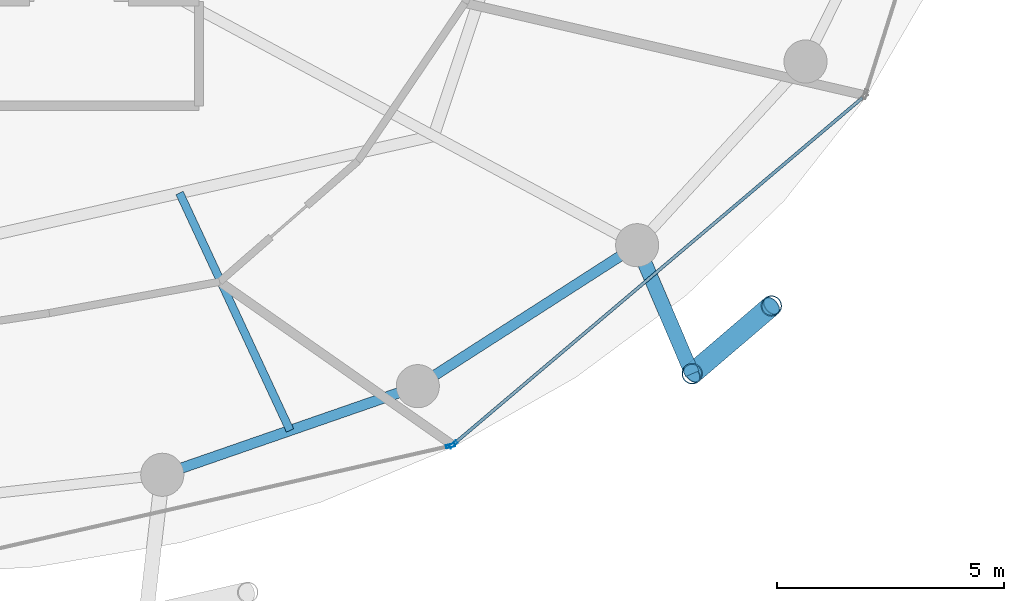
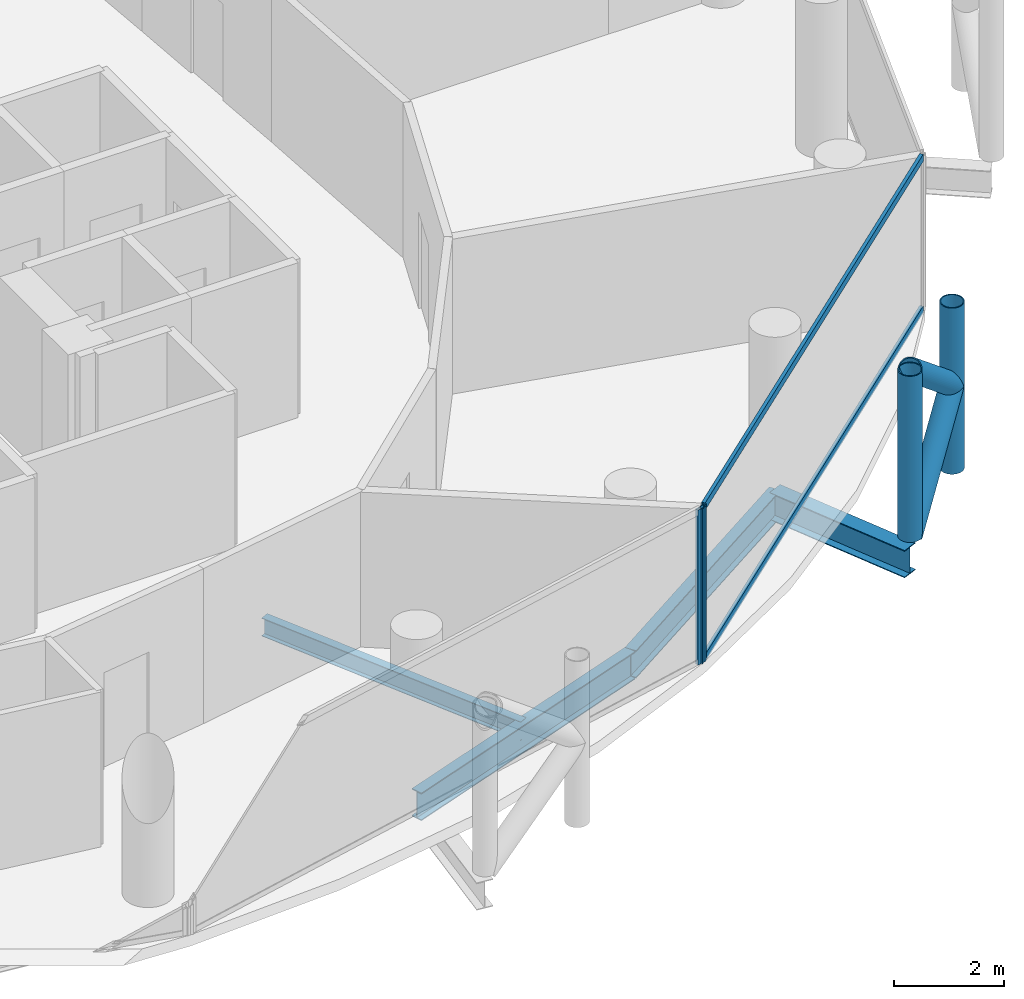
# One storey, part 8 of 26: 8 members, 4 beams, 2 elements without a shape of their own.
"""IFC4 building model written with IfcOpenShell, lengths in metres."""

from ifc_helpers import new_model, si_unit, direction, frame, origin, origin_2d, place, context, subcontext, project, spatial, hollow_rectangle, hollow_circle, i_section, extrude, material, layer, layer_set, material_profile, profile_set, type_object, element, aggregate, save


model = new_model("IFC4")

# Units and contexts
model_context = context("Model", 3, precision=1e-05, world=origin(), true_north=direction((0.0, 1.0)))
body_context = subcontext(model_context, "Body", "Model", "MODEL_VIEW")
ifc_project = project(units=[si_unit("LENGTHUNIT", "METRE"), si_unit("AREAUNIT", "SQUARE_METRE"), si_unit("VOLUMEUNIT", "CUBIC_METRE"), si_unit("PLANEANGLEUNIT", "RADIAN"), si_unit("MASSUNIT", "GRAM", prefix="KILO")], contexts=[model_context])

# Site, building, storey
site_placement = place(None, origin())
site = spatial("IfcSite", under=ifc_project, at=site_placement, CompositionType="ELEMENT")
building_placement = place(site_placement, origin())
building = spatial("IfcBuilding", under=site, at=building_placement, Name="Nuhasar Tower", CompositionType="ELEMENT")
storey_placement = place(building_placement, frame((0.0, 0.0, 155.25)))
storey = spatial("IfcBuildingStorey", under=building, at=storey_placement, Name="L37", CompositionType="ELEMENT", Elevation=155.25)

# Beams
ifc_material_1 = material(Name="Steel S355", Category="steel")
ifc_material_profile_1 = material_profile(ifc_material_1, i_section(OverallWidth=0.177978515625, OverallDepth=0.406005859375, WebThickness=0.0078125, FlangeThickness=0.0126953125, at=origin_2d()), Name="W16X40")
ifc_profile_set_1 = profile_set([ifc_material_profile_1], Name="Steel S355")
beam_type_1 = type_object("IfcBeamType", Name="BM-JST-W16X40", PredefinedType="JOIST", material=ifc_profile_set_1)
beam_1_placement = place(storey_placement, frame((45.424072265625, 14.1279296875, -0.452880859375), z_axis=(0.421729941201, -0.906721487941, 0.0), x_axis=(0.906721487941, 0.421729941201, 0.0)))
element("IfcBeam", 1, at=beam_1_placement, inside=storey, type_object=beam_type_1, Name="L37 Secondary Floor Joist 02", PredefinedType="JOIST", context=body_context, shape_type="SweptSolid", body=[
    extrude(i_section(OverallWidth=0.177978515625, OverallDepth=0.406005859375, WebThickness=0.0078125, FlangeThickness=0.0126953125, at=origin_2d()), origin(), (0.0, 0.0, 1.0), 5.7734375),
])
ifc_material_profile_2 = material_profile(ifc_material_1, i_section(OverallWidth=0.22998046875, OverallDepth=0.616943359375, WebThickness=0.01318359375, FlangeThickness=0.022216796875, at=origin_2d()), Name="W24X94")
ifc_profile_set_2 = profile_set([ifc_material_profile_2], Name="Steel S355")
beam_type_2 = type_object("IfcBeamType", Name="BM-RING-W24X94", PredefinedType="SPANDREL", material=ifc_profile_set_2)
beam_2_placement = place(storey_placement, frame((45.04296875, 7.916015625, -0.55908203125), z_axis=(0.944814057608, 0.327607076458, 0.0), x_axis=(-0.327607076458, 0.944814057608, 0.0)))
element("IfcBeam", 2, at=beam_2_placement, inside=storey, type_object=beam_type_2, Name="L37 Perimeter Ring Spandrel 20", PredefinedType="SPANDREL", context=body_context, shape_type="SweptSolid", body=[
    extrude(i_section(OverallWidth=0.22998046875, OverallDepth=0.616943359375, WebThickness=0.01318359375, FlangeThickness=0.022216796875, at=origin_2d()), origin(), (0.0, 0.0, 1.0), 5.9609375),
])
beam_3_placement = place(storey_placement, frame((50.675048828125, 9.868896484375, -0.55908203125), z_axis=(0.841308170616, 0.540555789955, 0.0), x_axis=(-0.540555789955, 0.841308170616, 0.0)))
element("IfcBeam", 3, at=beam_3_placement, inside=storey, type_object=beam_type_2, Name="L37 Perimeter Ring Spandrel 21", PredefinedType="SPANDREL", context=body_context, shape_type="SweptSolid", body=[
    extrude(i_section(OverallWidth=0.22998046875, OverallDepth=0.616943359375, WebThickness=0.01318359375, FlangeThickness=0.022216796875, at=origin_2d()), origin(), (0.0, 0.0, 1.0), 5.748046875),
])
ifc_material_profile_3 = material_profile(ifc_material_1, i_section(OverallWidth=0.323974609375, OverallDepth=0.611083984375, WebThickness=0.0126953125, FlangeThickness=0.01904296875, at=origin_2d()), Name="W24X104")
ifc_profile_set_3 = profile_set([ifc_material_profile_3], Name="Steel S355")
beam_type_3 = type_object("IfcBeamType", Name="BM-TIE-W24X104", PredefinedType="BEAM", material=ifc_profile_set_3)
beam_4_placement = place(storey_placement, frame((55.510986328125, 12.97607421875, -0.554931640625), z_axis=(0.39330721304, -0.919407111225, 0.0), x_axis=(0.919407111225, 0.39330721304, 0.0)))
element("IfcBeam", 4, at=beam_4_placement, inside=storey, type_object=beam_type_3, Name="L37 Exoskeleton Node Tie Beam 11", PredefinedType="BEAM", context=body_context, shape_type="SweptSolid", body=[
    extrude(i_section(OverallWidth=0.323974609375, OverallDepth=0.611083984375, WebThickness=0.0126953125, FlangeThickness=0.01904296875, at=origin_2d()), origin(), (0.0, 0.0, 1.0), 3.081298828125),
])

# Curtain wall, member
ifc_material_2 = material(Name="Aluminium 6063-T6", Category="aluminium")
ifc_layer = layer(ifc_material_2, 0.199951171875)
ifc_layer_set = layer_set([ifc_layer], Name="Aluminium 6063-T6")
curtain_wall_type = type_object("IfcCurtainWallType", Name="CW-Z2-HTL", PredefinedType="NOTDEFINED", material=ifc_layer_set)
curtain_wall_1_placement = place(storey_placement, origin())
curtain_wall_1 = element("IfcCurtainWall", 5, at=curtain_wall_1_placement, inside=storey, type_object=curtain_wall_type, Name="L37 Unitised Curtain Wall 10", PredefinedType="NOTDEFINED")
ifc_material_profile_4 = material_profile(ifc_material_2, hollow_rectangle(XDim=0.070068359375, YDim=0.199951171875, WallThickness=0.0048828125, at=origin_2d()), Name="CWM-3")
ifc_profile_set_4 = profile_set([ifc_material_profile_4], Name="Aluminium 6063-T6")
member_type_1 = type_object("IfcMemberType", Name="CW-MUL-S3", PredefinedType="MULLION", material=ifc_profile_set_4)
member_1_placement = place(storey_placement, frame((51.395751953125, 8.55419921875, 0.0), z_axis=(0.0, 0.0, 1.0), x_axis=(-0.22139729566, 0.975183694221, 0.0)))
member_1 = element("IfcMember", 6, at=member_1_placement, type_object=member_type_1, Name="CW-Z2 mullion 2", PredefinedType="MULLION", context=body_context, shape_type="SweptSolid", body=[
    extrude(hollow_rectangle(XDim=0.070068359375, YDim=0.199951171875, WallThickness=0.0048828125, at=origin_2d()), origin(), (0.0, 0.0, 1.0), 3.449951171875),
])
aggregate(curtain_wall_1, [member_1])

# Curtain wall, members
curtain_wall_2_placement = place(storey_placement, origin())
curtain_wall_2 = element("IfcCurtainWall", 7, at=curtain_wall_2_placement, inside=storey, type_object=curtain_wall_type, Name="L37 Unitised Curtain Wall 11", PredefinedType="NOTDEFINED")
member_2_placement = place(storey_placement, frame((51.456787109375, 8.584716796875, 0.0), z_axis=(0.0, 0.0, 1.0), x_axis=(-0.646374438324, 0.763020370292, 0.0)))
member_2 = element("IfcMember", 8, at=member_2_placement, type_object=member_type_1, Name="CW-Z2 mullion 1", PredefinedType="MULLION", context=body_context, shape_type="SweptSolid", body=[
    extrude(hollow_rectangle(XDim=0.070068359375, YDim=0.199951171875, WallThickness=0.0048828125, at=origin_2d()), origin(), (0.0, 0.0, 1.0), 3.449951171875),
])
ifc_material_profile_5 = material_profile(ifc_material_2, hollow_rectangle(XDim=0.070068359375, YDim=0.159912109375, WallThickness=0.00439453125, at=origin_2d()), Name="CWT-3")
ifc_profile_set_5 = profile_set([ifc_material_profile_5], Name="Aluminium 6063-T6")
member_type_2 = type_object("IfcMemberType", Name="CW-TRN-S3", PredefinedType="USERDEFINED", material=ifc_profile_set_5)
member_3_placement = place(storey_placement, frame((51.4833984375, 8.607177734375, 0.034912109375), z_axis=(0.763013698099, 0.646382314511, 0.0), x_axis=(-0.646382314511, 0.763013698099, 0.0)))
member_3 = element("IfcMember", 9, at=member_3_placement, type_object=member_type_2, Name="CW-Z2 transom 1.1", ObjectType="TRANSOM", PredefinedType="USERDEFINED", context=body_context, shape_type="SweptSolid", body=[
    extrude(hollow_rectangle(XDim=0.070068359375, YDim=0.159912109375, WallThickness=0.00439453125, at=origin_2d()), origin(), (0.0, 0.0, 1.0), 11.78515625),
])
member_4_placement = place(storey_placement, frame((51.4833984375, 8.607177734375, 3.4150390625), z_axis=(0.763013698099, 0.646382314511, 0.0), x_axis=(-0.646382314511, 0.763013698099, 0.0)))
member_4 = element("IfcMember", 10, at=member_4_placement, type_object=member_type_2, Name="CW-Z2 transom 1.2", ObjectType="TRANSOM", PredefinedType="USERDEFINED", context=body_context, shape_type="SweptSolid", body=[
    extrude(hollow_rectangle(XDim=0.070068359375, YDim=0.159912109375, WallThickness=0.00439453125, at=origin_2d()), origin(), (0.0, 0.0, 1.0), 11.78515625),
])
aggregate(curtain_wall_2, [member_2, member_3, member_4])

# Members
ifc_material_3 = material(Name="Steel S460", Category="steel")
ifc_material_profile_6 = material_profile(ifc_material_3, hollow_circle(Radius=0.228515625, WallThickness=0.022216796875, at=origin_2d()), Name="HSS457X22.2")
ifc_profile_set_6 = profile_set([ifc_material_profile_6], Name="Steel S460")
member_type_3 = type_object("IfcMemberType", Name="EXO-BRONZE-457", PredefinedType="BRACE", material=ifc_profile_set_6)
for number, where, z_axis, x_axis, name in (
    (11, (56.722900390625, 10.14306640625, 0.0), (0.0, 0.0, 1.0), (1.0, 0.0, 0.0), "L37 Exoskeleton Chord Column EC-11A"),
    (12, (58.470947265625, 11.637939453125, 0.0), (0.0, 0.0, 1.0), (1.0, 0.0, 0.0), "L37 Exoskeleton Chord Column EC-11B"),
):
    element("IfcMember", number, at=place(storey_placement, frame(where, z_axis=z_axis, x_axis=x_axis)), inside=storey, type_object=member_type_3, Name=name, PredefinedType="BRACE", context=body_context, shape_type="SweptSolid", body=[
        extrude(hollow_circle(Radius=0.228515625, WallThickness=0.022216796875, at=origin_2d()), origin(), (0.0, 0.0, 1.0), 3.699951171875),
    ])
member_5_placement = place(storey_placement, frame((56.722900390625, 10.14306640625, 0.0), z_axis=(0.592195175458, 0.506426125604, 0.626767463634), x_axis=(-0.649925557156, 0.7599978751, 0.0)))
element("IfcMember", 13, at=member_5_placement, inside=storey, type_object=member_type_3, Name="L37 Bronze Diagrid Brace W1-11", PredefinedType="BRACE", context=body_context, shape_type="SweptSolid", body=[
    extrude(hollow_circle(Radius=0.228515625, WallThickness=0.022216796875, at=origin_2d()), origin(), (0.0, 0.0, 1.0), 2.951904296875),
])
member_6_placement = place(storey_placement, frame((58.470947265625, 11.637939453125, 1.85009765625), z_axis=(-0.592225874743, -0.506452378638, 0.626717242029), x_axis=(0.649925557156, -0.7599978751, 0.0)))
element("IfcMember", 14, at=member_6_placement, inside=storey, type_object=member_type_3, Name="L37 Bronze Diagrid Brace W2-11", PredefinedType="BRACE", context=body_context, shape_type="SweptSolid", body=[
    extrude(hollow_circle(Radius=0.228515625, WallThickness=0.022216796875, at=origin_2d()), origin(), (0.0, 0.0, 1.0), 2.95166015625),
])

save(model, "model.ifc")
